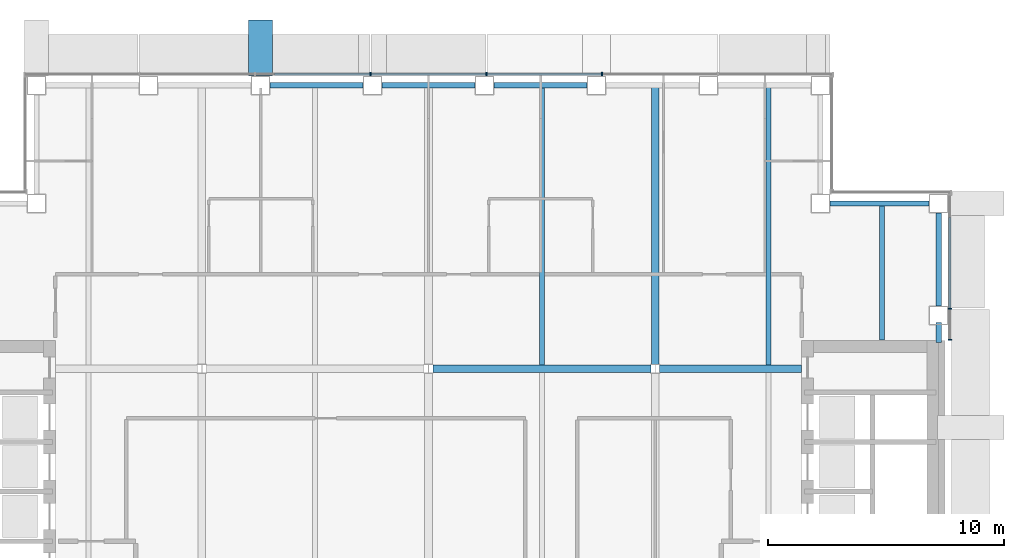
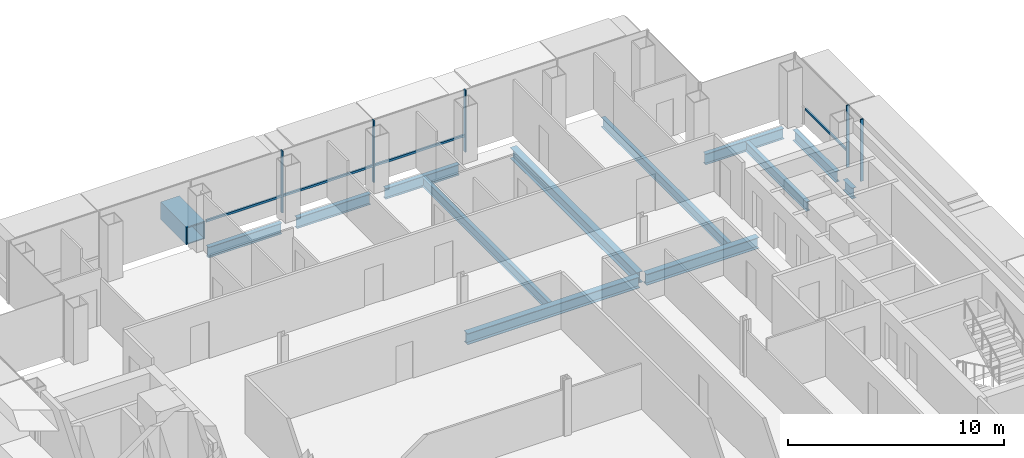
# One storey, part 9 of 21: 13 beams, 9 members, 2 elements without a shape of their own.
"""IFC4 building model written with IfcOpenShell, lengths in metres."""

import ifcopenshell
import ifcopenshell.guid

model = None  # the IFC model being written
_history = None  # IfcOwnerHistory: only IFC2X3 demands one
_inside = {}  # id of a spatial element -> (the spatial element, [elements in it])
_under = {}  # id of a project, library or spatial element -> (it, [spatial elements below it])
_declared = {}  # id of a project -> (the project, [libraries it declares])
_typed = {}  # id of a type object -> (the type object, [elements of that type])
_made_of = {}  # id of a material, layer set ... -> (it, [elements and type objects made of it])


def new_model(schema):
    """Start an empty IFC model of exactly this schema.

    Asked for "IFC4X3", IfcOpenShell would pick the latest addendum, in which some entities
    have other attributes; the version numbers below select the first issue.
    IFC2X3 requires an IfcOwnerHistory on every rooted entity: one is made here for all.
    """
    global model, _history
    if schema == "IFC4X3":
        model = ifcopenshell.file(schema_version=(4, 3, 0, 0))
    else:
        model = ifcopenshell.file(schema=schema)
    _inside.clear()
    _under.clear()
    _declared.clear()
    _typed.clear()
    _made_of.clear()
    _history = None
    if model.schema == "IFC2X3":
        org = make("IfcOrganization", Name="unknown")
        user = make(
            "IfcPersonAndOrganization",
            ThePerson=make("IfcPerson", FamilyName="unknown"),
            TheOrganization=org,
        )
        app = make(
            "IfcApplication",
            ApplicationDeveloper=org,
            Version="unknown",
            ApplicationFullName="unknown",
            ApplicationIdentifier="unknown",
        )
        _history = make(
            "IfcOwnerHistory",
            OwningUser=user,
            OwningApplication=app,
            ChangeAction="ADDED",
            CreationDate=0,
        )
    return model


def make(cls, **values):
    """One entity of the class cls with the attributes given. An attribute that is None is left unset."""
    return model.create_entity(
        cls, **{name: value for name, value in values.items() if value is not None}
    )


def rooted(cls, **values):
    """An entity with a GlobalId (a new one), such as an element, a storey or a relation."""
    return make(cls, GlobalId=ifcopenshell.guid.new(), OwnerHistory=_history, **values)


def si_unit(unit_type, name, prefix=None):
    """IfcSIUnit, for example si_unit("LENGTHUNIT", "METRE", prefix="MILLI")."""
    return make("IfcSIUnit", UnitType=unit_type, Prefix=prefix, Name=name)


def assignment(units):
    """IfcUnitAssignment: the units of a project."""
    return None if units is None else make("IfcUnitAssignment", Units=units)


def point(xyz):
    """IfcCartesianPoint."""
    return None if xyz is None else make("IfcCartesianPoint", Coordinates=xyz)


def direction(xyz):
    """IfcDirection."""
    return None if xyz is None else make("IfcDirection", DirectionRatios=xyz)


def frame(location, z_axis=None, x_axis=None):
    """IfcAxis2Placement3D, a coordinate frame: its origin and axes. An axis left out is left unset."""
    return make(
        "IfcAxis2Placement3D",
        Location=point(location),
        Axis=direction(z_axis),
        RefDirection=direction(x_axis),
    )


def frame_2d(location, x_axis=None):
    """IfcAxis2Placement2D, a coordinate frame in the plane: its origin and x axis."""
    return make(
        "IfcAxis2Placement2D", Location=point(location), RefDirection=direction(x_axis)
    )


def origin():
    """The frame at (0, 0, 0) with its axes left unset."""
    return frame((0.0, 0.0, 0.0))


def origin_2d():
    """The frame at (0, 0) in the plane with its x axis left unset."""
    return frame_2d((0.0, 0.0))


def place(relative_to, where):
    """IfcLocalPlacement: puts the frame where relative to a parent placement (None: the world)."""
    return make(
        "IfcLocalPlacement", PlacementRelTo=relative_to, RelativePlacement=where
    )


def context(
    kind, dimensions, precision=None, world=None, true_north=None, identifier=None
):
    """IfcGeometricRepresentationContext, for example the 3D "Model" context."""
    return make(
        "IfcGeometricRepresentationContext",
        ContextIdentifier=identifier,
        ContextType=kind,
        CoordinateSpaceDimension=dimensions,
        Precision=precision,
        WorldCoordinateSystem=world,
        TrueNorth=true_north,
    )


def subcontext(parent, identifier, kind, view, scale=None):
    """IfcGeometricRepresentationSubContext, for example "Body" below "Model"."""
    return make(
        "IfcGeometricRepresentationSubContext",
        ContextIdentifier=identifier,
        ContextType=kind,
        ParentContext=parent,
        TargetScale=scale,
        TargetView=view,
    )


def project(units=None, contexts=None):
    """IfcProject with its units and contexts."""
    return rooted(
        "IfcProject",
        Name="project",
        RepresentationContexts=contexts,
        UnitsInContext=assignment(units),
    )


def spatial(cls, under=None, at=None, **own):
    """A site, building, storey or space (cls), placed at a placement, below another one or the project."""
    s = rooted(cls, ObjectPlacement=at, **own)
    if under is not None:
        _under.setdefault(under.id(), (under, []))[1].append(s)
    return s


def profile(cls, at=None, kind="AREA", **sizes):
    """A parametric profile (cls). Its sizes go by their IFC names, for example OverallWidth=200.0."""
    return make(cls, ProfileType=kind, Position=at, **sizes)


def rectangle(**sizes):
    """IfcRectangleProfileDef."""
    return profile("IfcRectangleProfileDef", **sizes)


def hollow_rectangle(**sizes):
    """IfcRectangleHollowProfileDef."""
    return profile("IfcRectangleHollowProfileDef", **sizes)


def i_section(**sizes):
    """IfcIShapeProfileDef."""
    return profile("IfcIShapeProfileDef", **sizes)


def extrude(swept, where, along, depth):
    """IfcExtrudedAreaSolid: the profile swept, set in the frame where, extruded along a direction by depth."""
    return make(
        "IfcExtrudedAreaSolid",
        SweptArea=swept,
        Position=where,
        ExtrudedDirection=direction(along),
        Depth=depth,
    )


def shape(context_of_items, identifier, shape_type, items):
    """IfcShapeRepresentation: the items that make up one representation, for example the "Body"."""
    return make(
        "IfcShapeRepresentation",
        ContextOfItems=context_of_items,
        RepresentationIdentifier=identifier,
        RepresentationType=shape_type,
        Items=items,
    )


def material(Name=None, Category=None):
    """IfcMaterial."""
    return make("IfcMaterial", Name=Name, Category=Category)


def material_profile(
    of_material, cross_section, Name=None, Category=None, Priority=None
):
    """IfcMaterialProfile: a cross section and its material."""
    return make(
        "IfcMaterialProfile",
        Name=Name,
        Material=of_material,
        Profile=cross_section,
        Priority=Priority,
        Category=Category,
    )


def profile_set(profiles, Name=None, composite=None):
    """IfcMaterialProfileSet."""
    return make(
        "IfcMaterialProfileSet",
        Name=Name,
        MaterialProfiles=profiles,
        CompositeProfile=composite,
    )


def made_of(thing, what):
    """Note that an element or type object is made of a material, layer set ...; save() writes the relation."""
    if what is not None:
        _made_of.setdefault(what.id(), (what, []))[1].append(thing)
    return thing


def type_object(cls, material=None, **own):
    """A type object (cls), such as IfcWallType, which elements share."""
    return made_of(rooted(cls, **own), material)


def element(
    cls,
    number,
    at=None,
    inside=None,
    cuts=None,
    type_object=None,
    material=None,
    context=None,
    identifier="Body",
    shape_type=None,
    held_by="IfcProductDefinitionShape",
    body=None,
    shapes=None,
    **own,
):
    """One element of the class cls, such as IfcWall. Its Tag is "e" and its number.

    at: its placement. inside: the storey or other place that contains it. cuts: it is an
    opening in that element (IfcRelVoidsElement). A single representation is given by context,
    identifier, shape_type and body (its items); several are given by shapes. held_by: the class
    of the entity that holds the representations. save() writes the other relations.
    """
    e = rooted(cls, Tag="e%d" % number, ObjectPlacement=at, **own)
    if body is not None:
        shapes = [shape(context, identifier, shape_type, body)]
    if shapes is not None:
        e.Representation = make(held_by, Representations=shapes)
    if inside is not None:
        _inside.setdefault(inside.id(), (inside, []))[1].append(e)
    if cuts is not None:
        rooted(
            "IfcRelVoidsElement", RelatingBuildingElement=cuts, RelatedOpeningElement=e
        )
    if type_object is not None:
        _typed.setdefault(type_object.id(), (type_object, []))[1].append(e)
    return made_of(e, material)


def aggregate(whole, parts):
    """IfcRelAggregates: a whole, such as a stair, and the parts it consists of."""
    return rooted("IfcRelAggregates", RelatingObject=whole, RelatedObjects=parts)


def save(model, path):
    """Write the relations noted so far, then the file.

    IfcRelAggregates (storeys below a building ...), IfcRelContainedInSpatialStructure (elements
    in a storey), IfcRelDefinesByType, IfcRelAssociatesMaterial and IfcRelDeclares: one each for
    every whole, place, type object, material and project.
    """
    for whole, parts in _under.values():
        aggregate(whole, parts)
    for where, things in _inside.values():
        rooted(
            "IfcRelContainedInSpatialStructure",
            RelatedElements=things,
            RelatingStructure=where,
        )
    for kind, things in _typed.values():
        rooted("IfcRelDefinesByType", RelatedObjects=things, RelatingType=kind)
    for what, things in _made_of.values():
        rooted("IfcRelAssociatesMaterial", RelatedObjects=things, RelatingMaterial=what)
    for by, libraries in _declared.values():
        rooted("IfcRelDeclares", RelatingContext=by, RelatedDefinitions=libraries)
    model.write(path)


model = new_model("IFC4")

# Units and contexts
model_context = context("Model", 3, precision=1e-05, world=origin(), true_north=direction((0.0, 1.0)))
body_context = subcontext(model_context, "Body", "Model", "MODEL_VIEW")
ifc_project = project(units=[si_unit("LENGTHUNIT", "METRE"), si_unit("AREAUNIT", "SQUARE_METRE"), si_unit("VOLUMEUNIT", "CUBIC_METRE"), si_unit("PLANEANGLEUNIT", "RADIAN"), si_unit("MASSUNIT", "GRAM", prefix="KILO")], contexts=[model_context])

# Site, building, storey
site_placement = place(None, origin())
site = spatial("IfcSite", under=ifc_project, at=site_placement, CompositionType="ELEMENT")
building_placement = place(site_placement, origin())
building = spatial("IfcBuilding", under=site, at=building_placement, Name="Cobrizo Arcos Hotel Tower", CompositionType="ELEMENT")
storey_placement = place(building_placement, frame((0.0, 0.0, 183.0)))
storey = spatial("IfcBuildingStorey", under=building, at=storey_placement, Name="L47", CompositionType="ELEMENT", Elevation=183.0)

# Beam
ifc_material_1 = material(Name="Steel ASTM A572 Grade 50", Category="steel")
ifc_material_profile_1 = material_profile(ifc_material_1, hollow_rectangle(XDim=1.0, YDim=1.0, WallThickness=0.06005859375, at=origin_2d()), Name="BOX 1000X1000X60")
ifc_profile_set_1 = profile_set([ifc_material_profile_1], Name="Steel ASTM A572 Grade 50")
beam_type_1 = type_object("IfcBeamType", Name="BOX 1000X1000X60 brace connector strut", PredefinedType="BEAM", material=ifc_profile_set_1)
beam_1_placement = place(storey_placement, frame((-7.1142578125, 21.989990234375, 0.5), z_axis=(0.0, 1.0, 0.0), x_axis=(-1.0, 0.0, 0.0)))
element("IfcBeam", 1, at=beam_1_placement, inside=storey, type_object=beam_type_1, Name="Perimeter brace stub BS1, zone Z3, north face, offset -7.11 m, L47", PredefinedType="BEAM", context=body_context, shape_type="SweptSolid", body=[
    extrude(hollow_rectangle(XDim=1.0, YDim=1.0, WallThickness=0.06005859375, at=origin_2d()), origin(), (0.0, 0.0, 1.0), 2.380126953125),
])

# Curtain wall, members
ifc_material_2 = material(Name="Aluminium 6063-T6 anodised bronze", Category="aluminium")
curtain_wall_type = type_object("IfcCurtainWallType", Name="CW-A guest facade", PredefinedType="NOTDEFINED", material=ifc_material_2)
curtain_wall_1_placement = place(storey_placement, origin())
curtain_wall_1 = element("IfcCurtainWall", 2, at=curtain_wall_1_placement, inside=storey, type_object=curtain_wall_type, Name="CW-A L47 E face", PredefinedType="NOTDEFINED")
ifc_material_profile_2 = material_profile(ifc_material_2, rectangle(XDim=0.14990234375, YDim=0.06005859375, at=origin_2d()), Name="CW-A mullion 150x60")
ifc_profile_set_2 = profile_set([ifc_material_profile_2], Name="Aluminium 6063-T6 anodised bronze")
member_type_1 = type_object("IfcMemberType", Name="CW-A mullion 150x60", PredefinedType="MULLION", material=ifc_profile_set_2)
member_1_placement = place(storey_placement, frame((22.074951171875, 10.830078125, 0.0), z_axis=(0.0, 0.0, 1.0), x_axis=(1.0, 0.0, 0.0)))
member_1 = element("IfcMember", 3, at=member_1_placement, type_object=member_type_1, Name="CW-A mullion 1", PredefinedType="MULLION", context=body_context, shape_type="SweptSolid", body=[
    extrude(rectangle(XDim=0.14990234375, YDim=0.06005859375, at=origin_2d()), origin(), (0.0, 0.0, 1.0), 3.5),
])
member_2_placement = place(storey_placement, frame((22.074951171875, 12.142822265625, 0.0), z_axis=(0.0, 0.0, 1.0), x_axis=(1.0, 0.0, 0.0)))
member_2 = element("IfcMember", 4, at=member_2_placement, type_object=member_type_1, Name="CW-A mullion 2", PredefinedType="MULLION", context=body_context, shape_type="SweptSolid", body=[
    extrude(rectangle(XDim=0.14990234375, YDim=0.06005859375, at=origin_2d()), origin(), (0.0, 0.0, 1.0), 3.5),
])

curtain_wall_2_placement = place(storey_placement, origin())
curtain_wall_2 = element("IfcCurtainWall", 5, at=curtain_wall_2_placement, inside=storey, type_object=curtain_wall_type, Name="CW-A L47 N face", PredefinedType="NOTDEFINED")
member_3_placement = place(storey_placement, frame((7.35009765625, 22.074951171875, 0.0), z_axis=(0.0, 0.0, 1.0), x_axis=(0.0, 1.0, 0.0)))
member_3 = element("IfcMember", 6, at=member_3_placement, type_object=member_type_1, Name="CW-A mullion 3", PredefinedType="MULLION", context=body_context, shape_type="SweptSolid", body=[
    extrude(rectangle(XDim=0.14990234375, YDim=0.06005859375, at=origin_2d()), origin(), (0.0, 0.0, 1.0), 3.5),
])
member_4_placement = place(storey_placement, frame((2.449951171875, 22.074951171875, 0.0), z_axis=(0.0, 0.0, 1.0), x_axis=(0.0, 1.0, 0.0)))
member_4 = element("IfcMember", 7, at=member_4_placement, type_object=member_type_1, Name="CW-A mullion 4", PredefinedType="MULLION", context=body_context, shape_type="SweptSolid", body=[
    extrude(rectangle(XDim=0.14990234375, YDim=0.06005859375, at=origin_2d()), origin(), (0.0, 0.0, 1.0), 3.5),
])
member_5_placement = place(storey_placement, frame((-2.449951171875, 22.074951171875, 0.0), z_axis=(0.0, 0.0, 1.0), x_axis=(0.0, 1.0, 0.0)))
member_5 = element("IfcMember", 8, at=member_5_placement, type_object=member_type_1, Name="CW-A mullion 5", PredefinedType="MULLION", context=body_context, shape_type="SweptSolid", body=[
    extrude(rectangle(XDim=0.14990234375, YDim=0.06005859375, at=origin_2d()), origin(), (0.0, 0.0, 1.0), 3.5),
])

# Member
ifc_material_profile_3 = material_profile(ifc_material_2, rectangle(XDim=0.10009765625, YDim=0.1201171875, at=origin_2d()), Name="CW-A transom 120x100")
ifc_profile_set_3 = profile_set([ifc_material_profile_3], Name="Aluminium 6063-T6 anodised bronze")
member_type_2 = type_object("IfcMemberType", Name="CW-A transom 120x100", PredefinedType="USERDEFINED", material=ifc_profile_set_3)
member_6_placement = place(storey_placement, frame((22.074951171875, 12.1728515625, 0.929931640625), z_axis=(0.0, 1.0, 0.0), x_axis=(-1.0, 0.0, 0.0)))
member_6 = element("IfcMember", 9, at=member_6_placement, type_object=member_type_2, Name="CW-A transom 1648", ObjectType="TRANSOM", PredefinedType="USERDEFINED", context=body_context, shape_type="SweptSolid", body=[
    extrude(rectangle(XDim=0.10009765625, YDim=0.1201171875, at=origin_2d()), origin(), (0.0, 0.0, 1.0), 3.8271484375),
])

aggregate(curtain_wall_1, [member_1, member_2, member_6])

member_7_placement = place(storey_placement, frame((7.320068359375, 22.074951171875, 0.929931640625), z_axis=(-1.0, 0.0, 0.0), x_axis=(0.0, -1.0, 0.0)))
member_7 = element("IfcMember", 10, at=member_7_placement, type_object=member_type_2, Name="CW-A transom 1653", ObjectType="TRANSOM", PredefinedType="USERDEFINED", context=body_context, shape_type="SweptSolid", body=[
    extrude(rectangle(XDim=0.10009765625, YDim=0.1201171875, at=origin_2d()), origin(), (0.0, 0.0, 1.0), 4.840087890625),
])

member_8_placement = place(storey_placement, frame((2.419921875, 22.074951171875, 0.929931640625), z_axis=(-1.0, 0.0, 0.0), x_axis=(0.0, -1.0, 0.0)))
member_8 = element("IfcMember", 11, at=member_8_placement, type_object=member_type_2, Name="CW-A transom 1654", ObjectType="TRANSOM", PredefinedType="USERDEFINED", context=body_context, shape_type="SweptSolid", body=[
    extrude(rectangle(XDim=0.10009765625, YDim=0.1201171875, at=origin_2d()), origin(), (0.0, 0.0, 1.0), 4.83984375),
])

member_9_placement = place(storey_placement, frame((-2.47998046875, 22.074951171875, 0.929931640625), z_axis=(-1.0, 0.0, 0.0), x_axis=(0.0, -1.0, 0.0)))
member_9 = element("IfcMember", 12, at=member_9_placement, type_object=member_type_2, Name="CW-A transom 1655", ObjectType="TRANSOM", PredefinedType="USERDEFINED", context=body_context, shape_type="SweptSolid", body=[
    extrude(rectangle(XDim=0.10009765625, YDim=0.1201171875, at=origin_2d()), origin(), (0.0, 0.0, 1.0), 4.034423828125),
])

aggregate(curtain_wall_2, [member_3, member_4, member_5, member_7, member_8, member_9])

# Beams
ifc_material_3 = material(Name="Steel ASTM A992 Grade 50", Category="steel")
ifc_material_profile_4 = material_profile(ifc_material_3, i_section(OverallWidth=0.209228515625, OverallDepth=0.533447265625, WebThickness=0.01025390625, FlangeThickness=0.015625, at=origin_2d()), Name="W21X62")
ifc_profile_set_4 = profile_set([ifc_material_profile_4], Name="Steel ASTM A992 Grade 50")
beam_type_2 = type_object("IfcBeamType", Name="W21X62 joist", PredefinedType="JOIST", material=ifc_profile_set_4)
for number, where, z_axis, x_axis, name in (
    (13, (4.800048828125, 9.763916015625, -0.416748046875), (0.0, 1.0, 0.0), (-1.0, 0.0, 0.0), "Floor joist J1, L47, no. 014"),
    (14, (14.39990234375, 9.763916015625, -0.416748046875), (0.0, 1.0, 0.0), (-1.0, 0.0, 0.0), "Floor joist J1, L47, no. 018"),
):
    element("IfcBeam", number, at=place(storey_placement, frame(where, z_axis=z_axis, x_axis=x_axis)), inside=storey, type_object=beam_type_2, Name=name, PredefinedType="JOIST", context=body_context, shape_type="SweptSolid", body=[
        extrude(i_section(OverallWidth=0.209228515625, OverallDepth=0.533447265625, WebThickness=0.01025390625, FlangeThickness=0.015625, at=origin_2d()), origin(), (0.0, 0.0, 1.0), 11.74609375),
    ])
beam_2_placement = place(storey_placement, frame((19.199951171875, 10.81005859375, -0.416748046875), z_axis=(0.0, 1.0, 0.0), x_axis=(-1.0, 0.0, 0.0)))
element("IfcBeam", 15, at=beam_2_placement, inside=storey, type_object=beam_type_2, Name="Floor joist J1, L47, no. 020", PredefinedType="JOIST", context=body_context, shape_type="SweptSolid", body=[
    extrude(i_section(OverallWidth=0.209228515625, OverallDepth=0.533447265625, WebThickness=0.01025390625, FlangeThickness=0.015625, at=origin_2d()), origin(), (0.0, 0.0, 1.0), 5.699951171875),
])
ifc_material_profile_5 = material_profile(ifc_material_3, i_section(OverallWidth=0.32763671875, OverallDepth=0.622314453125, WebThickness=0.015380859375, FlangeThickness=0.0244140625, at=origin_2d()), Name="W24X131")
ifc_profile_set_5 = profile_set([ifc_material_profile_5], Name="Steel ASTM A992 Grade 50")
beam_type_3 = type_object("IfcBeamType", Name="W24X131 girder", PredefinedType="BEAM", material=ifc_profile_set_5)
beam_3_placement = place(storey_placement, frame((0.186767578125, 9.60009765625, -0.461181640625), z_axis=(1.0, 0.0, 0.0), x_axis=(0.0, 1.0, 0.0)))
element("IfcBeam", 16, at=beam_3_placement, inside=storey, type_object=beam_type_3, Name="Floor girder G1, L47, no. 011", PredefinedType="BEAM", context=body_context, shape_type="SweptSolid", body=[
    extrude(i_section(OverallWidth=0.32763671875, OverallDepth=0.622314453125, WebThickness=0.015380859375, FlangeThickness=0.0244140625, at=origin_2d()), origin(), (0.0, 0.0, 1.0), 9.2265625),
])
beam_4_placement = place(storey_placement, frame((9.78662109375, 9.60009765625, -0.461181640625), z_axis=(1.0, 0.0, 0.0), x_axis=(0.0, 1.0, 0.0)))
element("IfcBeam", 17, at=beam_4_placement, inside=storey, type_object=beam_type_3, Name="Floor girder G1, L47, no. 012", PredefinedType="BEAM", context=body_context, shape_type="SweptSolid", body=[
    extrude(i_section(OverallWidth=0.32763671875, OverallDepth=0.622314453125, WebThickness=0.015380859375, FlangeThickness=0.0244140625, at=origin_2d()), origin(), (0.0, 0.0, 1.0), 6.00341796875),
])
beam_5_placement = place(storey_placement, frame((9.60009765625, 9.78662109375, -0.461181640625), z_axis=(0.0, 1.0, 0.0), x_axis=(-1.0, 0.0, 0.0)))
element("IfcBeam", 18, at=beam_5_placement, inside=storey, type_object=beam_type_3, Name="Floor girder G1, L47, no. 024", PredefinedType="BEAM", context=body_context, shape_type="SweptSolid", body=[
    extrude(i_section(OverallWidth=0.32763671875, OverallDepth=0.622314453125, WebThickness=0.015380859375, FlangeThickness=0.0244140625, at=origin_2d()), origin(), (0.0, 0.0, 1.0), 11.723388671875),
])
ifc_material_profile_6 = material_profile(ifc_material_3, i_section(OverallWidth=0.228271484375, OverallDepth=0.607177734375, WebThickness=0.01123046875, FlangeThickness=0.017333984375, at=origin_2d()), Name="W24X76")
ifc_profile_set_6 = profile_set([ifc_material_profile_6], Name="Steel ASTM A992 Grade 50")
beam_type_4 = type_object("IfcBeamType", Name="W24X76 spandrel", PredefinedType="SPANDREL", material=ifc_profile_set_6)
beam_6_placement = place(storey_placement, frame((21.60009765625, 10.7099609375, -0.45361328125), z_axis=(0.0, 1.0, 0.0), x_axis=(-1.0, 0.0, 0.0)))
element("IfcBeam", 19, at=beam_6_placement, inside=storey, type_object=beam_type_4, Name="Spandrel beam W24X76, L47, no. 012", PredefinedType="SPANDREL", context=body_context, shape_type="SweptSolid", body=[
    extrude(i_section(OverallWidth=0.228271484375, OverallDepth=0.607177734375, WebThickness=0.01123046875, FlangeThickness=0.017333984375, at=origin_2d()), origin(), (0.0, 0.0, 1.0), 0.846923828125),
])
beam_7_placement = place(storey_placement, frame((21.60009765625, 12.257080078125, -0.45361328125), z_axis=(0.0, 1.0, 0.0), x_axis=(-1.0, 0.0, 0.0)))
element("IfcBeam", 20, at=beam_7_placement, inside=storey, type_object=beam_type_4, Name="Spandrel beam W24X76, L47, no. 013", PredefinedType="SPANDREL", context=body_context, shape_type="SweptSolid", body=[
    extrude(i_section(OverallWidth=0.228271484375, OverallDepth=0.607177734375, WebThickness=0.01123046875, FlangeThickness=0.017333984375, at=origin_2d()), origin(), (0.0, 0.0, 1.0), 3.94287109375),
])
beam_8_placement = place(storey_placement, frame((21.199951171875, 16.60009765625, -0.45361328125), z_axis=(-1.0, 0.0, 0.0), x_axis=(0.0, -1.0, 0.0)))
element("IfcBeam", 21, at=beam_8_placement, inside=storey, type_object=beam_type_4, Name="Spandrel beam W24X76, L47, no. 014", PredefinedType="SPANDREL", context=body_context, shape_type="SweptSolid", body=[
    extrude(i_section(OverallWidth=0.228271484375, OverallDepth=0.607177734375, WebThickness=0.01123046875, FlangeThickness=0.017333984375, at=origin_2d()), origin(), (0.0, 0.0, 1.0), 4.199951171875),
])
beam_9_placement = place(storey_placement, frame((6.714111328125, 21.60009765625, -0.45361328125), z_axis=(-1.0, 0.0, 0.0), x_axis=(0.0, -1.0, 0.0)))
element("IfcBeam", 22, at=beam_9_placement, inside=storey, type_object=beam_type_4, Name="Spandrel beam W24X76, L47, no. 018", PredefinedType="SPANDREL", context=body_context, shape_type="SweptSolid", body=[
    extrude(i_section(OverallWidth=0.228271484375, OverallDepth=0.607177734375, WebThickness=0.01123046875, FlangeThickness=0.017333984375, at=origin_2d()), origin(), (0.0, 0.0, 1.0), 3.943115234375),
])
beam_10_placement = place(storey_placement, frame((1.970947265625, 21.60009765625, -0.45361328125), z_axis=(-1.0, 0.0, 0.0), x_axis=(0.0, -1.0, 0.0)))
element("IfcBeam", 23, at=beam_10_placement, inside=storey, type_object=beam_type_4, Name="Spandrel beam W24X76, L47, no. 019", PredefinedType="SPANDREL", context=body_context, shape_type="SweptSolid", body=[
    extrude(i_section(OverallWidth=0.228271484375, OverallDepth=0.607177734375, WebThickness=0.01123046875, FlangeThickness=0.017333984375, at=origin_2d()), origin(), (0.0, 0.0, 1.0), 3.94189453125),
])
beam_11_placement = place(storey_placement, frame((-2.77099609375, 21.60009765625, -0.45361328125), z_axis=(-1.0, 0.0, 0.0), x_axis=(0.0, -1.0, 0.0)))
element("IfcBeam", 24, at=beam_11_placement, inside=storey, type_object=beam_type_4, Name="Spandrel beam W24X76, L47, no. 020", PredefinedType="SPANDREL", context=body_context, shape_type="SweptSolid", body=[
    extrude(i_section(OverallWidth=0.228271484375, OverallDepth=0.607177734375, WebThickness=0.01123046875, FlangeThickness=0.017333984375, at=origin_2d()), origin(), (0.0, 0.0, 1.0), 3.943115234375),
])

save(model, "model.ifc")
